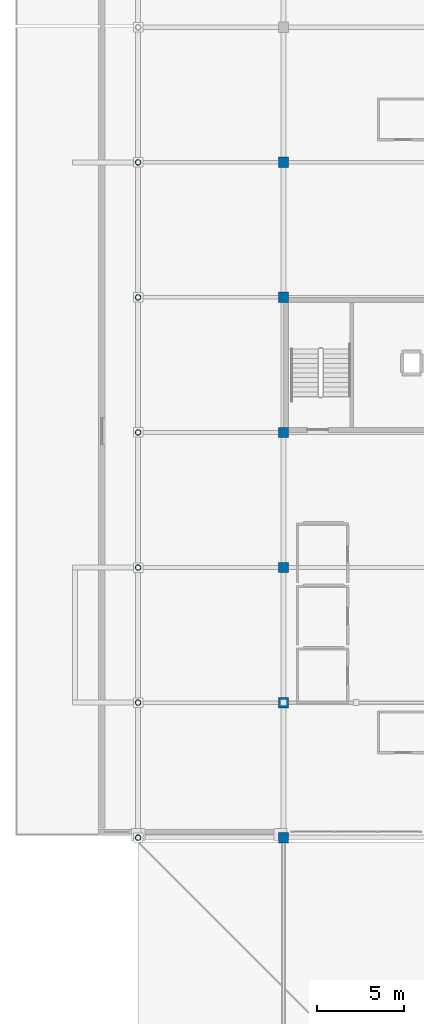
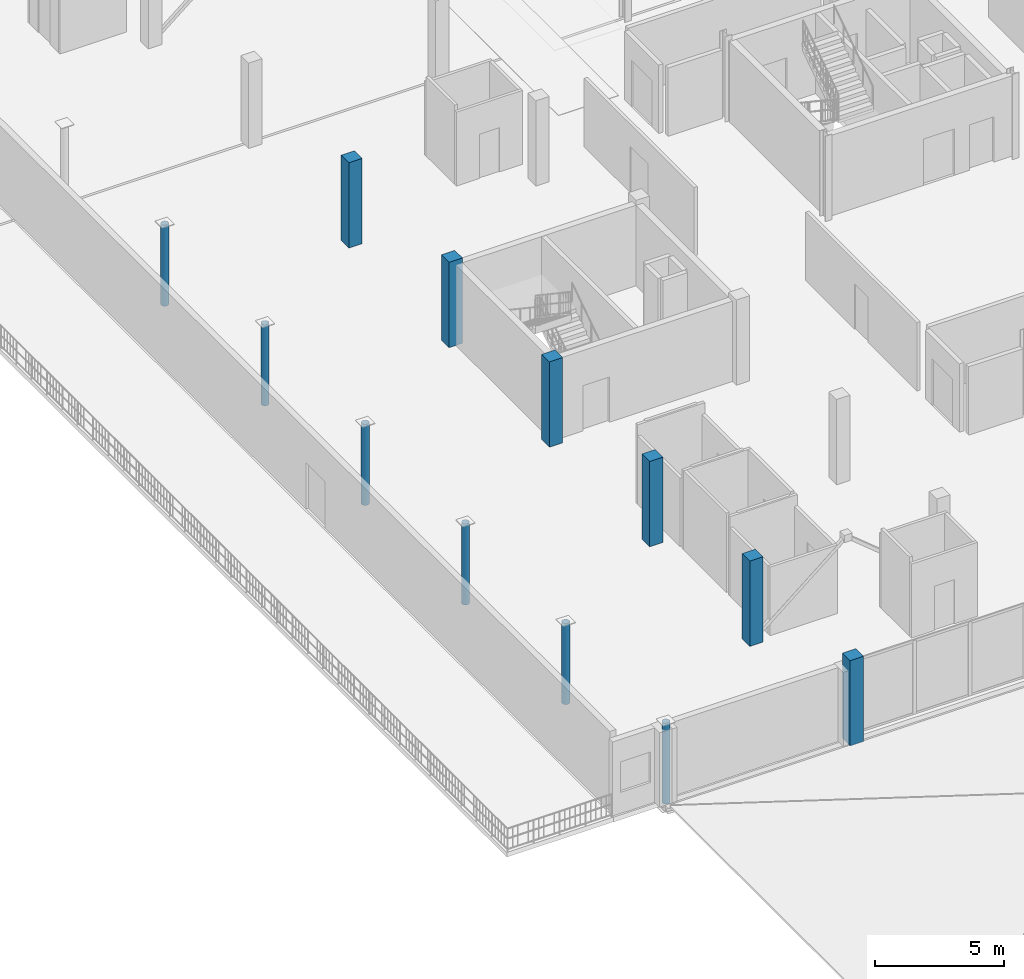
# One storey, part 1 of 25: 12 columns.
"""IFC4 building model written with IfcOpenShell, lengths in metres."""

from ifc_helpers import new_model, si_unit, direction, frame, origin, origin_2d, place, context, subcontext, project, spatial, rectangle, hollow_circle, extrude, material, material_profile, profile_set, type_object, element, save


model = new_model("IFC4")

# Units and contexts
model_context = context("Model", 3, precision=1e-05, world=origin(), true_north=direction((0.0, 1.0)))
body_context = subcontext(model_context, "Body", "Model", "MODEL_VIEW")
ifc_project = project(units=[si_unit("LENGTHUNIT", "METRE"), si_unit("AREAUNIT", "SQUARE_METRE"), si_unit("VOLUMEUNIT", "CUBIC_METRE"), si_unit("PLANEANGLEUNIT", "RADIAN"), si_unit("MASSUNIT", "GRAM", prefix="KILO")], contexts=[model_context])

# Site, building, storey
site_placement = place(None, origin())
site = spatial("IfcSite", under=ifc_project, at=site_placement, CompositionType="ELEMENT")
building_placement = place(site_placement, origin())
building = spatial("IfcBuilding", under=site, at=building_placement, Name="Nabrawat Pavilion Hospital", CompositionType="ELEMENT")
storey_placement = place(building_placement, frame((0.0, 0.0, 22.949951171875)))
storey = spatial("IfcBuildingStorey", under=building, at=storey_placement, Name="L05", CompositionType="ELEMENT", Elevation=22.949951171875)

# Columns
ifc_material_1 = material(Name="Steel S355", Category="steel")
ifc_material_profile_1 = material_profile(ifc_material_1, hollow_circle(Radius=0.161865234375, WallThickness=0.01611328125, at=origin_2d()), Name="CHS 323.9x16")
ifc_profile_set_1 = profile_set([ifc_material_profile_1], Name="Steel S355")
column_type_1 = type_object("IfcColumnType", Name="Helipad Terrace Colonnade Column CHS 323.9x16", PredefinedType="COLUMN", material=ifc_profile_set_1)
for number, where, z_axis, x_axis, name in (
    (1, (142.800048828125, 39.0, 0.0), (0.0, 0.0, 1.0), (1.0, 0.0, 0.0), "L05 Structural Column G-18-F1"),
    (2, (142.800048828125, 46.800048828125, 0.0), (0.0, 0.0, 1.0), (1.0, 0.0, 0.0), "L05 Structural Column G-18-G"),
    (3, (142.800048828125, 54.60009765625, 0.0), (0.0, 0.0, 1.0), (1.0, 0.0, 0.0), "L05 Structural Column G-18-H"),
    (4, (142.800048828125, 62.39990234375, 0.0), (0.0, 0.0, 1.0), (1.0, 0.0, 0.0), "L05 Structural Column G-18-J"),
    (5, (142.800048828125, 70.199951171875, 0.0), (0.0, 0.0, 1.0), (1.0, 0.0, 0.0), "L05 Structural Column G-18-K"),
    (6, (142.800048828125, 78.0, 0.0), (0.0, 0.0, 1.0), (1.0, 0.0, 0.0), "L05 Structural Column G-18-L"),
):
    element("IfcColumn", number, at=place(storey_placement, frame(where, z_axis=z_axis, x_axis=x_axis)), inside=storey, type_object=column_type_1, Name=name, PredefinedType="COLUMN", context=body_context, shape_type="SweptSolid", body=[
        extrude(hollow_circle(Radius=0.161865234375, WallThickness=0.01611328125, at=origin_2d()), origin(), (0.0, 0.0, 1.0), 3.840087890625),
    ])
ifc_material_2 = material(Name="Concrete C40/50", Category="concrete")
ifc_material_profile_2 = material_profile(ifc_material_2, rectangle(XDim=0.60009765625, YDim=0.60009765625, at=origin_2d()), Name="RC 600x600")
ifc_profile_set_2 = profile_set([ifc_material_profile_2], Name="Concrete C40/50")
column_type_2 = type_object("IfcColumnType", Name="Upper Ward RC Column 600x600", PredefinedType="COLUMN", material=ifc_profile_set_2)
for number, where, z_axis, x_axis, name in (
    (7, (151.199951171875, 39.0, 0.0), (0.0, 0.0, 1.0), (1.0, 0.0, 0.0), "L05 Structural Column G-19-F1"),
    (8, (151.199951171875, 46.800048828125, 0.0), (0.0, 0.0, 1.0), (1.0, 0.0, 0.0), "L05 Structural Column G-19-G"),
    (9, (151.199951171875, 54.60009765625, 0.0), (0.0, 0.0, 1.0), (1.0, 0.0, 0.0), "L05 Structural Column G-19-H"),
    (10, (151.199951171875, 62.39990234375, 0.0), (0.0, 0.0, 1.0), (1.0, 0.0, 0.0), "L05 Structural Column G-19-J"),
    (11, (151.199951171875, 70.199951171875, 0.0), (0.0, 0.0, 1.0), (1.0, 0.0, 0.0), "L05 Structural Column G-19-K"),
    (12, (151.199951171875, 78.0, 0.0), (0.0, 0.0, 1.0), (1.0, 0.0, 0.0), "L05 Structural Column G-19-L"),
):
    element("IfcColumn", number, at=place(storey_placement, frame(where, z_axis=z_axis, x_axis=x_axis)), inside=storey, type_object=column_type_2, Name=name, PredefinedType="COLUMN", context=body_context, shape_type="SweptSolid", body=[
        extrude(rectangle(XDim=0.60009765625, YDim=0.60009765625, at=origin_2d()), origin(), (0.0, 0.0, 1.0), 4.050048828125),
    ])

save(model, "model.ifc")
